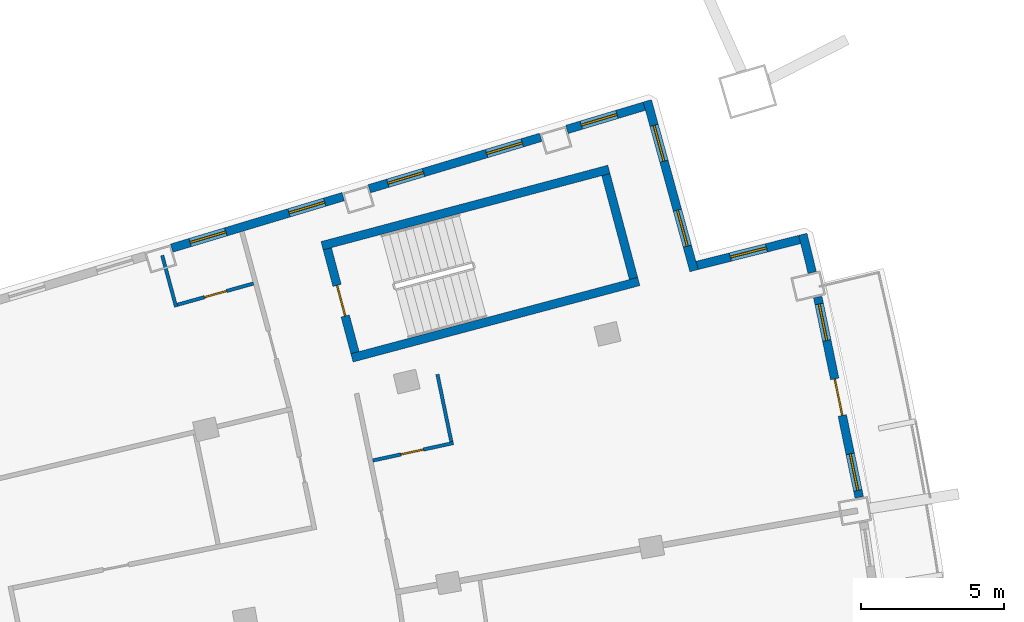
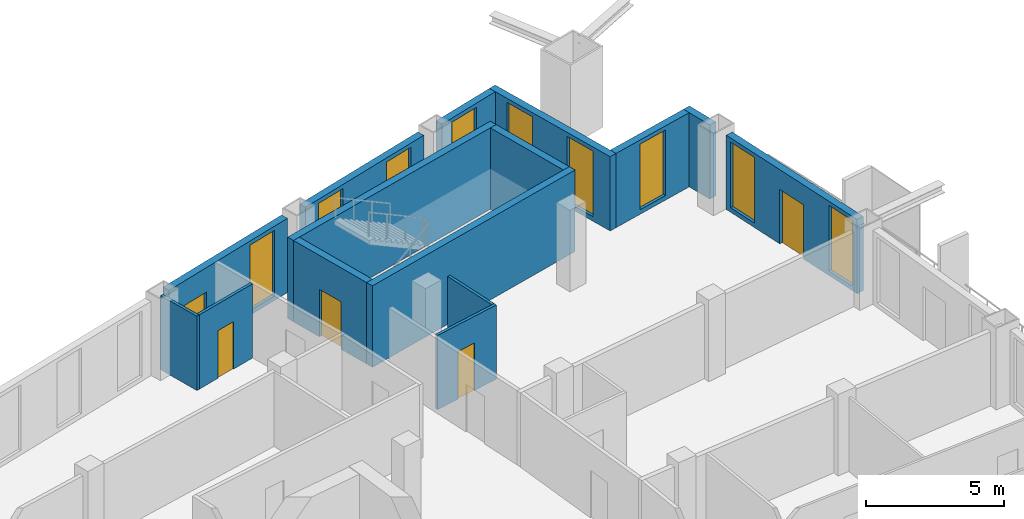
# One storey, part 15 of 19: 15 walls, 10 windows, 4 doors, 14 openings.
"""IFC4 building model written with IfcOpenShell, lengths in metres."""

from ifc_helpers import new_model, si_unit, direction, frame, frame_2d, origin, place, context, subcontext, project, spatial, rectangle, extrude, material, layer, layer_set, type_object, element, fill, save


model = new_model("IFC4")

# Units and contexts
model_context = context("Model", 3, precision=1e-05, world=origin(), true_north=direction((0.0, 1.0)))
body_context = subcontext(model_context, "Body", "Model", "MODEL_VIEW")
ifc_project = project(units=[si_unit("LENGTHUNIT", "METRE"), si_unit("AREAUNIT", "SQUARE_METRE"), si_unit("VOLUMEUNIT", "CUBIC_METRE"), si_unit("PLANEANGLEUNIT", "RADIAN"), si_unit("MASSUNIT", "GRAM", prefix="KILO")], contexts=[model_context])

# Site, building, storey
site_placement = place(None, origin())
site = spatial("IfcSite", under=ifc_project, at=site_placement, CompositionType="ELEMENT")
building_placement = place(site_placement, origin())
building = spatial("IfcBuilding", under=site, at=building_placement, Name="Alderwake Tower", CompositionType="ELEMENT")
storey_placement = place(building_placement, frame((0.0, 0.0, 228.800048828125)))
storey = spatial("IfcBuildingStorey", under=building, at=storey_placement, Name="L57", CompositionType="ELEMENT", Elevation=228.800048828125)

# Walls
ifc_material_1 = material(Name="Concrete C70/85", Category="concrete")
ifc_layer_1 = layer(ifc_material_1, 0.300048828125)
ifc_layer_set_1 = layer_set([ifc_layer_1], Name="Core wall stair enclosure 300 C70-85")
wall_type_1 = type_object("IfcWallType", Name="Core wall stair enclosure 300 C70-85", PredefinedType="SHEAR", material=ifc_layer_set_1)
for number, where, z_axis, x_axis, name in (
    (1, (36.71142578125, 94.182373046875, 0.0), (0.0, 0.0, 1.0), (0.966309214305, 0.257383958996, 0.0), "Core wall CW.082"),
    (2, (37.75390625, 90.268798828125, 0.0), (0.0, 0.0, 1.0), (0.966309214305, 0.257383958996, 0.0), "Core wall CW.084"),
):
    element("IfcWall", number, at=place(storey_placement, frame(where, z_axis=z_axis, x_axis=x_axis)), inside=storey, type_object=wall_type_1, Name=name, PredefinedType="SHEAR", context=body_context, shape_type="SweptSolid", body=[
        extrude(rectangle(XDim=10.360107421875, YDim=0.300048828125, at=frame_2d((5.18017578125, 0.0))), origin(), (0.0, 0.0, 1.0), 3.599853515625),
    ])

# Wall, opening, door
wall_1_placement = place(storey_placement, frame((37.8603515625, 90.452392578125, 0.0), z_axis=(0.0, 0.0, 1.0), x_axis=(-0.257411420208, 0.966301899381, 0.0)))
wall_1 = element("IfcWall", 3, at=wall_1_placement, inside=storey, type_object=wall_type_1, Name="Core wall CW.083", PredefinedType="SHEAR", context=body_context, shape_type="SweptSolid", body=[
    extrude(rectangle(XDim=3.750244140625, YDim=0.300048828125, at=frame_2d((1.875, 0.0))), origin(), (0.0, 0.0, 1.0), 3.599853515625),
])
opening_1_placement = place(wall_1_placement, frame((1.324951171875, 0.0, 0.0)))
opening_1 = element("IfcOpeningElement", 4, at=opening_1_placement, cuts=wall_1, Name="Opening C062", PredefinedType="OPENING", context=body_context, shape_type="SweptSolid", body=[
    extrude(rectangle(XDim=1.10009765625, YDim=2.10009765625, at=frame_2d((0.550048828125, 1.050048828125))), frame((0.0, 0.159912109375, 0.0), z_axis=(0.0, -1.0, 0.0), x_axis=(1.0, 0.0, 0.0)), (0.0, 0.0, 1.0), 0.320068359375),
])
ifc_material_2 = material(Name="Steel-framed fire door leaf", Category="steel")
door_type_1 = type_object("IfcDoorType", Name="Core stair door 1100 fire-rated", OperationType="SINGLE_SWING_LEFT", PredefinedType="DOOR", material=ifc_material_2)
door_1_placement = place(opening_1_placement, origin())
door_1 = element("IfcDoor", 5, at=door_1_placement, inside=storey, type_object=door_type_1, Name="Stair door", OperationType="SINGLE_SWING_LEFT", OverallHeight=2.10009765625, OverallWidth=1.10009765625, PredefinedType="DOOR", context=body_context, shape_type="SweptSolid", body=[
    extrude(rectangle(XDim=1.10009765625, YDim=2.10009765625, at=frame_2d((0.550048828125, 1.050048828125))), frame((0.0, 0.02490234375, 0.0), z_axis=(0.0, -1.0, 0.0), x_axis=(1.0, 0.0, 0.0)), (0.0, 0.0, 1.0), 0.050048828125),
])
fill(opening_1, door_1)

# Wall
wall_2_placement = place(storey_placement, frame((47.581298828125, 93.041748046875, 0.0), z_axis=(0.0, 0.0, 1.0), x_axis=(-0.257366821694, 0.966313778796, 0.0)))
element("IfcWall", 6, at=wall_2_placement, inside=storey, type_object=wall_type_1, Name="Core wall CW.081", PredefinedType="SHEAR", context=body_context, shape_type="SweptSolid", body=[
    extrude(rectangle(XDim=3.749755859375, YDim=0.300048828125, at=frame_2d((1.875, 0.0))), origin(), (0.0, 0.0, 1.0), 3.599853515625),
])

# Wall, openings, door, windows
ifc_material_3 = material(Name="Precast concrete C50/60 spandrel panel", Category="concrete")
ifc_layer_2 = layer(ifc_material_3, 0.300048828125)
ifc_layer_set_2 = layer_set([ifc_layer_2], Name="External wall EW1 Precast concrete C50/60 spandrel")
wall_type_2 = type_object("IfcWallType", Name="External wall EW1 Precast concrete C50/60 spandrel", PredefinedType="SOLIDWALL", material=ifc_layer_set_2)
wall_3_placement = place(storey_placement, frame((55.456787109375, 85.404052734375, 0.0), z_axis=(0.0, 0.0, 1.0), x_axis=(-0.202739139566, 0.979232781972, 0.0)))
wall_3 = element("IfcWall", 7, at=wall_3_placement, inside=storey, type_object=wall_type_2, Name="External wall 19", PredefinedType="SOLIDWALL", context=body_context, shape_type="SweptSolid", body=[
    extrude(rectangle(XDim=7.1337890625, YDim=0.300048828125, at=frame_2d((3.56689453125, 0.0))), origin(), (0.0, 0.0, 1.0), 3.280029296875),
])
opening_2_placement = place(wall_3_placement, frame((0.24560546875, 0.0, 0.199951171875)))
opening_2 = element("IfcOpeningElement", 8, at=opening_2_placement, cuts=wall_3, Name="Opening W1", PredefinedType="OPENING", context=body_context, shape_type="SweptSolid", body=[
    extrude(rectangle(XDim=1.300048828125, YDim=2.89990234375, at=frame_2d((0.64990234375, 1.449951171875))), frame((0.0, 0.159912109375, 0.0), z_axis=(0.0, -1.0, 0.0), x_axis=(1.0, 0.0, 0.0)), (0.0, 0.0, 1.0), 0.320068359375),
])
opening_3_placement = place(wall_3_placement, frame((2.916748046875, 0.0, 0.0)))
opening_3 = element("IfcOpeningElement", 9, at=opening_3_placement, cuts=wall_3, Name="Opening D08", PredefinedType="OPENING", context=body_context, shape_type="SweptSolid", body=[
    extrude(rectangle(XDim=1.300048828125, YDim=2.39990234375, at=frame_2d((0.64990234375, 1.199951171875))), frame((0.0, 0.159912109375, 0.0), z_axis=(0.0, -1.0, 0.0), x_axis=(1.0, 0.0, 0.0)), (0.0, 0.0, 1.0), 0.320068359375),
])
opening_4_placement = place(wall_3_placement, frame((5.588134765625, 0.0, 0.199951171875)))
opening_4 = element("IfcOpeningElement", 10, at=opening_4_placement, cuts=wall_3, Name="Opening W1", PredefinedType="OPENING", context=body_context, shape_type="SweptSolid", body=[
    extrude(rectangle(XDim=1.300048828125, YDim=2.89990234375, at=frame_2d((0.64990234375, 1.449951171875))), frame((0.0, 0.159912109375, 0.0), z_axis=(0.0, -1.0, 0.0), x_axis=(1.0, 0.0, 0.0)), (0.0, 0.0, 1.0), 0.320068359375),
])
ifc_material_4 = material(Name="Bronze tinted glass in aluminium frame", Category="aluminium")
door_type_2 = type_object("IfcDoorType", Name="Balcony door BD sliding", OperationType="SLIDING_TO_LEFT", PredefinedType="DOOR", material=ifc_material_4)
door_2_placement = place(opening_3_placement, origin())
door_2 = element("IfcDoor", 11, at=door_2_placement, inside=storey, type_object=door_type_2, Name="Door D08", OperationType="SLIDING_TO_LEFT", OverallHeight=2.39990234375, OverallWidth=1.300048828125, PredefinedType="DOOR", context=body_context, shape_type="SweptSolid", body=[
    extrude(rectangle(XDim=1.300048828125, YDim=2.39990234375, at=frame_2d((0.64990234375, 1.199951171875))), frame((0.0, 0.02490234375, 0.0), z_axis=(0.0, -1.0, 0.0), x_axis=(1.0, 0.0, 0.0)), (0.0, 0.0, 1.0), 0.050048828125),
])
fill(opening_3, door_2)
ifc_material_5 = material(Name="Bronze tinted glass in aluminium frame", Category="aluminium")
window_type_1 = type_object("IfcWindowType", Name="Window W1 tall fixed and vent", PartitioningType="DOUBLE_PANEL_VERTICAL", PredefinedType="WINDOW", material=ifc_material_5)
window_1_placement = place(opening_2_placement, origin())
window_1 = element("IfcWindow", 12, at=window_1_placement, inside=storey, type_object=window_type_1, Name="Window W1 tall fixed and vent", OverallHeight=2.89990234375, OverallWidth=1.300048828125, PartitioningType="DOUBLE_PANEL_VERTICAL", PredefinedType="WINDOW", context=body_context, shape_type="SweptSolid", body=[
    extrude(rectangle(XDim=1.300048828125, YDim=2.89990234375, at=frame_2d((0.64990234375, 1.449951171875))), frame((0.0, 0.030029296875, 0.0), z_axis=(0.0, -1.0, 0.0), x_axis=(1.0, 0.0, 0.0)), (0.0, 0.0, 1.0), 0.06005859375),
])
fill(opening_2, window_1)
window_2_placement = place(opening_4_placement, origin())
window_2 = element("IfcWindow", 13, at=window_2_placement, inside=storey, type_object=window_type_1, Name="Window W1 tall fixed and vent", OverallHeight=2.89990234375, OverallWidth=1.300048828125, PartitioningType="DOUBLE_PANEL_VERTICAL", PredefinedType="WINDOW", context=body_context, shape_type="SweptSolid", body=[
    extrude(rectangle(XDim=1.300048828125, YDim=2.89990234375, at=frame_2d((0.64990234375, 1.449951171875))), frame((0.0, 0.030029296875, 0.0), z_axis=(0.0, -1.0, 0.0), x_axis=(1.0, 0.0, 0.0)), (0.0, 0.0, 1.0), 0.06005859375),
])
fill(opening_4, window_2)

# Wall
wall_4_placement = place(storey_placement, frame((53.817138671875, 93.24609375, 0.0), z_axis=(0.0, 0.0, 1.0), x_axis=(-0.238360405039, 0.971176769342, 0.0)))
element("IfcWall", 14, at=wall_4_placement, inside=storey, type_object=wall_type_2, Name="External wall 20", PredefinedType="SOLIDWALL", context=body_context, shape_type="SweptSolid", body=[
    extrude(rectangle(XDim=1.376708984375, YDim=0.300048828125, at=frame_2d((0.6884765625, 0.0))), origin(), (0.0, 0.0, 1.0), 3.280029296875),
])

# Wall, opening, window
ifc_material_6 = material(Name="Bronze metal cladding on lightweight framing")
ifc_layer_3 = layer(ifc_material_6, 0.300048828125)
ifc_layer_set_3 = layer_set([ifc_layer_3], Name="External wall EW2 bronze metal cladding")
wall_type_3 = type_object("IfcWallType", Name="External wall EW2 bronze metal cladding", PredefinedType="SOLIDWALL", material=ifc_layer_set_3)
wall_5_placement = place(storey_placement, frame((53.37939453125, 94.400390625, 0.0), z_axis=(0.0, 0.0, 1.0), x_axis=(-0.969426922046, -0.245380200529, 0.0)))
wall_5 = element("IfcWall", 15, at=wall_5_placement, inside=storey, type_object=wall_type_3, Name="External wall 21", PredefinedType="SOLIDWALL", context=body_context, shape_type="SweptSolid", body=[
    extrude(rectangle(XDim=3.6943359375, YDim=0.300048828125, at=frame_2d((1.84716796875, 0.0))), origin(), (0.0, 0.0, 1.0), 3.280029296875),
])
opening_5_placement = place(wall_5_placement, frame((1.197021484375, 0.0, 0.199951171875)))
opening_5 = element("IfcOpeningElement", 16, at=opening_5_placement, cuts=wall_5, Name="Opening W1", PredefinedType="OPENING", context=body_context, shape_type="SweptSolid", body=[
    extrude(rectangle(XDim=1.300048828125, YDim=2.89990234375, at=frame_2d((0.64990234375, 1.449951171875))), frame((0.0, 0.159912109375, 0.0), z_axis=(0.0, -1.0, 0.0), x_axis=(1.0, 0.0, 0.0)), (0.0, 0.0, 1.0), 0.320068359375),
])
window_3_placement = place(opening_5_placement, origin())
window_3 = element("IfcWindow", 17, at=window_3_placement, inside=storey, type_object=window_type_1, Name="Window W1 tall fixed and vent", OverallHeight=2.89990234375, OverallWidth=1.300048828125, PartitioningType="DOUBLE_PANEL_VERTICAL", PredefinedType="WINDOW", context=body_context, shape_type="SweptSolid", body=[
    extrude(rectangle(XDim=1.300048828125, YDim=2.89990234375, at=frame_2d((0.64990234375, 1.449951171875))), frame((0.0, 0.030029296875, 0.0), z_axis=(0.0, -1.0, 0.0), x_axis=(1.0, 0.0, 0.0)), (0.0, 0.0, 1.0), 0.06005859375),
])
fill(opening_5, window_3)

# Wall, openings, windows
wall_6_placement = place(storey_placement, frame((49.6923828125, 93.3125, 0.0), z_axis=(0.0, 0.0, 1.0), x_axis=(-0.265086321633, 0.96422468444, 0.0)))
wall_6 = element("IfcWall", 18, at=wall_6_placement, inside=storey, type_object=wall_type_3, Name="External wall 22", PredefinedType="SOLIDWALL", context=body_context, shape_type="SweptSolid", body=[
    extrude(rectangle(XDim=6.146728515625, YDim=0.300048828125, at=frame_2d((3.0732421875, 0.0))), origin(), (0.0, 0.0, 1.0), 3.280029296875),
])
opening_6_placement = place(wall_6_placement, frame((0.88671875, 0.0, 0.199951171875)))
opening_6 = element("IfcOpeningElement", 19, at=opening_6_placement, cuts=wall_6, Name="Opening W1", PredefinedType="OPENING", context=body_context, shape_type="SweptSolid", body=[
    extrude(rectangle(XDim=1.300048828125, YDim=2.89990234375, at=frame_2d((0.64990234375, 1.449951171875))), frame((0.0, 0.159912109375, 0.0), z_axis=(0.0, -1.0, 0.0), x_axis=(1.0, 0.0, 0.0)), (0.0, 0.0, 1.0), 0.320068359375),
])
opening_7_placement = place(wall_6_placement, frame((3.9599609375, 0.0, 0.199951171875)))
opening_7 = element("IfcOpeningElement", 20, at=opening_7_placement, cuts=wall_6, Name="Opening W1", PredefinedType="OPENING", context=body_context, shape_type="SweptSolid", body=[
    extrude(rectangle(XDim=1.300048828125, YDim=2.89990234375, at=frame_2d((0.64990234375, 1.449951171875))), frame((0.0, 0.159912109375, 0.0), z_axis=(0.0, -1.0, 0.0), x_axis=(1.0, 0.0, 0.0)), (0.0, 0.0, 1.0), 0.320068359375),
])
window_4_placement = place(opening_6_placement, origin())
window_4 = element("IfcWindow", 21, at=window_4_placement, inside=storey, type_object=window_type_1, Name="Window W1 tall fixed and vent", OverallHeight=2.89990234375, OverallWidth=1.300048828125, PartitioningType="DOUBLE_PANEL_VERTICAL", PredefinedType="WINDOW", context=body_context, shape_type="SweptSolid", body=[
    extrude(rectangle(XDim=1.300048828125, YDim=2.89990234375, at=frame_2d((0.64990234375, 1.449951171875))), frame((0.0, 0.030029296875, 0.0), z_axis=(0.0, -1.0, 0.0), x_axis=(1.0, 0.0, 0.0)), (0.0, 0.0, 1.0), 0.06005859375),
])
fill(opening_6, window_4)
window_5_placement = place(opening_7_placement, origin())
window_5 = element("IfcWindow", 22, at=window_5_placement, inside=storey, type_object=window_type_1, Name="Window W1 tall fixed and vent", OverallHeight=2.89990234375, OverallWidth=1.300048828125, PartitioningType="DOUBLE_PANEL_VERTICAL", PredefinedType="WINDOW", context=body_context, shape_type="SweptSolid", body=[
    extrude(rectangle(XDim=1.300048828125, YDim=2.89990234375, at=frame_2d((0.64990234375, 1.449951171875))), frame((0.0, 0.030029296875, 0.0), z_axis=(0.0, -1.0, 0.0), x_axis=(1.0, 0.0, 0.0)), (0.0, 0.0, 1.0), 0.06005859375),
])
fill(opening_7, window_5)

# Wall, opening, window
wall_7_placement = place(storey_placement, frame((47.959228515625, 99.051513671875, 0.0), z_axis=(0.0, 0.0, 1.0), x_axis=(-0.957764339178, -0.287554291569, 0.0)))
wall_7 = element("IfcWall", 23, at=wall_7_placement, inside=storey, type_object=wall_type_3, Name="External wall 23", PredefinedType="SOLIDWALL", context=body_context, shape_type="SweptSolid", body=[
    extrude(rectangle(XDim=2.8212890625, YDim=0.300048828125, at=frame_2d((1.41064453125, 0.0))), origin(), (0.0, 0.0, 1.0), 3.280029296875),
])
opening_8_placement = place(wall_7_placement, frame((0.9990234375, 0.0, 0.199951171875)))
opening_8 = element("IfcOpeningElement", 24, at=opening_8_placement, cuts=wall_7, Name="Opening W1", PredefinedType="OPENING", context=body_context, shape_type="SweptSolid", body=[
    extrude(rectangle(XDim=1.300048828125, YDim=2.89990234375, at=frame_2d((0.64990234375, 1.449951171875))), frame((0.0, 0.159912109375, 0.0), z_axis=(0.0, -1.0, 0.0), x_axis=(1.0, 0.0, 0.0)), (0.0, 0.0, 1.0), 0.320068359375),
])
window_6_placement = place(opening_8_placement, origin())
window_6 = element("IfcWindow", 25, at=window_6_placement, inside=storey, type_object=window_type_1, Name="Window W1 tall fixed and vent", OverallHeight=2.89990234375, OverallWidth=1.300048828125, PartitioningType="DOUBLE_PANEL_VERTICAL", PredefinedType="WINDOW", context=body_context, shape_type="SweptSolid", body=[
    extrude(rectangle(XDim=1.300048828125, YDim=2.89990234375, at=frame_2d((0.64990234375, 1.449951171875))), frame((0.0, 0.030029296875, 0.0), z_axis=(0.0, -1.0, 0.0), x_axis=(1.0, 0.0, 0.0)), (0.0, 0.0, 1.0), 0.06005859375),
])
fill(opening_8, window_6)

# Wall, openings, windows
wall_8_placement = place(storey_placement, frame((44.34375, 97.966064453125, 0.0), z_axis=(0.0, 0.0, 1.0), x_axis=(-0.95776710022, -0.287545095136, 0.0)))
wall_8 = element("IfcWall", 26, at=wall_8_placement, inside=storey, type_object=wall_type_3, Name="External wall 24", PredefinedType="SOLIDWALL", context=body_context, shape_type="SweptSolid", body=[
    extrude(rectangle(XDim=6.24658203125, YDim=0.300048828125, at=frame_2d((3.123291015625, 0.0))), origin(), (0.0, 0.0, 1.0), 3.280029296875),
])
opening_9_placement = place(wall_8_placement, frame((0.67333984375, 0.0, 0.199951171875)))
opening_9 = element("IfcOpeningElement", 27, at=opening_9_placement, cuts=wall_8, Name="Opening W1", PredefinedType="OPENING", context=body_context, shape_type="SweptSolid", body=[
    extrude(rectangle(XDim=1.300048828125, YDim=2.89990234375, at=frame_2d((0.64990234375, 1.449951171875))), frame((0.0, 0.159912109375, 0.0), z_axis=(0.0, -1.0, 0.0), x_axis=(1.0, 0.0, 0.0)), (0.0, 0.0, 1.0), 0.320068359375),
])
opening_10_placement = place(wall_8_placement, frame((4.273193359375, 0.0, 0.199951171875)))
opening_10 = element("IfcOpeningElement", 28, at=opening_10_placement, cuts=wall_8, Name="Opening W1", PredefinedType="OPENING", context=body_context, shape_type="SweptSolid", body=[
    extrude(rectangle(XDim=1.300048828125, YDim=2.89990234375, at=frame_2d((0.64990234375, 1.449951171875))), frame((0.0, 0.159912109375, 0.0), z_axis=(0.0, -1.0, 0.0), x_axis=(1.0, 0.0, 0.0)), (0.0, 0.0, 1.0), 0.320068359375),
])
window_7_placement = place(opening_9_placement, origin())
window_7 = element("IfcWindow", 29, at=window_7_placement, inside=storey, type_object=window_type_1, Name="Window W1 tall fixed and vent", OverallHeight=2.89990234375, OverallWidth=1.300048828125, PartitioningType="DOUBLE_PANEL_VERTICAL", PredefinedType="WINDOW", context=body_context, shape_type="SweptSolid", body=[
    extrude(rectangle(XDim=1.300048828125, YDim=2.89990234375, at=frame_2d((0.64990234375, 1.449951171875))), frame((0.0, 0.030029296875, 0.0), z_axis=(0.0, -1.0, 0.0), x_axis=(1.0, 0.0, 0.0)), (0.0, 0.0, 1.0), 0.06005859375),
])
fill(opening_9, window_7)
window_8_placement = place(opening_10_placement, origin())
window_8 = element("IfcWindow", 30, at=window_8_placement, inside=storey, type_object=window_type_1, Name="Window W1 tall fixed and vent", OverallHeight=2.89990234375, OverallWidth=1.300048828125, PartitioningType="DOUBLE_PANEL_VERTICAL", PredefinedType="WINDOW", context=body_context, shape_type="SweptSolid", body=[
    extrude(rectangle(XDim=1.300048828125, YDim=2.89990234375, at=frame_2d((0.64990234375, 1.449951171875))), frame((0.0, 0.030029296875, 0.0), z_axis=(0.0, -1.0, 0.0), x_axis=(1.0, 0.0, 0.0)), (0.0, 0.0, 1.0), 0.06005859375),
])
fill(opening_10, window_8)

wall_9_placement = place(storey_placement, frame((37.44775390625, 95.895751953125, 0.0), z_axis=(0.0, 0.0, 1.0), x_axis=(-0.95776710022, -0.287545095136, 0.0)))
wall_9 = element("IfcWall", 31, at=wall_9_placement, inside=storey, type_object=wall_type_3, Name="External wall 25", PredefinedType="SOLIDWALL", context=body_context, shape_type="SweptSolid", body=[
    extrude(rectangle(XDim=6.24658203125, YDim=0.300048828125, at=frame_2d((3.123291015625, 0.0))), origin(), (0.0, 0.0, 1.0), 3.280029296875),
])
opening_11_placement = place(wall_9_placement, frame((0.673095703125, 0.0, 0.199951171875)))
opening_11 = element("IfcOpeningElement", 32, at=opening_11_placement, cuts=wall_9, Name="Opening W1", PredefinedType="OPENING", context=body_context, shape_type="SweptSolid", body=[
    extrude(rectangle(XDim=1.300048828125, YDim=2.89990234375, at=frame_2d((0.64990234375, 1.449951171875))), frame((0.0, 0.159912109375, 0.0), z_axis=(0.0, -1.0, 0.0), x_axis=(1.0, 0.0, 0.0)), (0.0, 0.0, 1.0), 0.320068359375),
])
opening_12_placement = place(wall_9_placement, frame((4.273193359375, 0.0, 1.0)))
opening_12 = element("IfcOpeningElement", 33, at=opening_12_placement, cuts=wall_9, Name="Opening W2", PredefinedType="OPENING", context=body_context, shape_type="SweptSolid", body=[
    extrude(rectangle(XDim=1.300048828125, YDim=1.199951171875, at=frame_2d((0.64990234375, 0.60009765625))), frame((0.0, 0.159912109375, 0.0), z_axis=(0.0, -1.0, 0.0), x_axis=(1.0, 0.0, 0.0)), (0.0, 0.0, 1.0), 0.320068359375),
])
window_9_placement = place(opening_11_placement, origin())
window_9 = element("IfcWindow", 34, at=window_9_placement, inside=storey, type_object=window_type_1, Name="Window W1 tall fixed and vent", OverallHeight=2.89990234375, OverallWidth=1.300048828125, PartitioningType="DOUBLE_PANEL_VERTICAL", PredefinedType="WINDOW", context=body_context, shape_type="SweptSolid", body=[
    extrude(rectangle(XDim=1.300048828125, YDim=2.89990234375, at=frame_2d((0.64990234375, 1.449951171875))), frame((0.0, 0.030029296875, 0.0), z_axis=(0.0, -1.0, 0.0), x_axis=(1.0, 0.0, 0.0)), (0.0, 0.0, 1.0), 0.06005859375),
])
fill(opening_11, window_9)
ifc_material_7 = material(Name="Bronze tinted glass in aluminium frame", Category="aluminium")
window_type_2 = type_object("IfcWindowType", Name="Window W2 kitchen and bath", PartitioningType="SINGLE_PANEL", PredefinedType="WINDOW", material=ifc_material_7)
window_10_placement = place(opening_12_placement, origin())
window_10 = element("IfcWindow", 35, at=window_10_placement, inside=storey, type_object=window_type_2, Name="Window W2 kitchen and bath", OverallHeight=1.199951171875, OverallWidth=1.300048828125, PartitioningType="SINGLE_PANEL", PredefinedType="WINDOW", context=body_context, shape_type="SweptSolid", body=[
    extrude(rectangle(XDim=1.300048828125, YDim=1.199951171875, at=frame_2d((0.64990234375, 0.60009765625))), frame((0.0, 0.030029296875, 0.0), z_axis=(0.0, -1.0, 0.0), x_axis=(1.0, 0.0, 0.0)), (0.0, 0.0, 1.0), 0.06005859375),
])
fill(opening_12, window_10)

# Wall
ifc_material_8 = material(Name="Moisture resistant gypsum board on metal studs")
ifc_layer_4 = layer(ifc_material_8, 0.1201171875)
ifc_layer_set_4 = layer_set([ifc_layer_4], Name="Wet room partition 120")
wall_type_4 = type_object("IfcWallType", Name="Wet room partition 120", PredefinedType="PARTITIONING", material=ifc_layer_set_4)
wall_10_placement = place(storey_placement, frame((31.134033203125, 93.843017578125, 0.0), z_axis=(0.0, 0.0, 1.0), x_axis=(0.260171283127, -0.965562480338, 0.0)))
element("IfcWall", 36, at=wall_10_placement, inside=storey, type_object=wall_type_4, Name="WL/L57/W31", PredefinedType="PARTITIONING", context=body_context, shape_type="SweptSolid", body=[
    extrude(rectangle(XDim=1.85888671875, YDim=0.1201171875, at=frame_2d((0.929443359375, 0.0))), origin(), (0.0, 0.0, 1.0), 3.280029296875),
])

# Wall, opening, door
wall_11_placement = place(storey_placement, frame((31.659912109375, 92.1220703125, 0.0), z_axis=(0.0, 0.0, 1.0), x_axis=(0.963132887742, 0.269026096411, 0.0)))
wall_11 = element("IfcWall", 37, at=wall_11_placement, inside=storey, type_object=wall_type_4, Name="WL/L57/W33", PredefinedType="PARTITIONING", context=body_context, shape_type="SweptSolid", body=[
    extrude(rectangle(XDim=2.759765625, YDim=0.1201171875, at=frame_2d((1.3798828125, 0.0))), origin(), (0.0, 0.0, 1.0), 3.280029296875),
])
opening_13_placement = place(wall_11_placement, frame((0.97998046875, 0.0, 0.0)))
opening_13 = element("IfcOpeningElement", 38, at=opening_13_placement, cuts=wall_11, Name="Opening R16-U10.2", PredefinedType="OPENING", context=body_context, shape_type="SweptSolid", body=[
    extrude(rectangle(XDim=0.800048828125, YDim=2.10009765625, at=frame_2d((0.39990234375, 1.050048828125))), frame((0.0, 0.070068359375, 0.0), z_axis=(0.0, -1.0, 0.0), x_axis=(1.0, 0.0, 0.0)), (0.0, 0.0, 1.0), 0.14013671875),
])
ifc_material_9 = material(Name="Painted timber leaf", Category="wood")
door_type_3 = type_object("IfcDoorType", Name="Bathroom door 800", OperationType="SINGLE_SWING_LEFT", PredefinedType="DOOR", material=ifc_material_9)
door_3_placement = place(opening_13_placement, origin())
door_3 = element("IfcDoor", 39, at=door_3_placement, inside=storey, type_object=door_type_3, Name="DR/L57/U10.2", OperationType="SINGLE_SWING_LEFT", OverallHeight=2.10009765625, OverallWidth=0.800048828125, PredefinedType="DOOR", context=body_context, shape_type="SweptSolid", body=[
    extrude(rectangle(XDim=0.800048828125, YDim=2.10009765625, at=frame_2d((0.39990234375, 1.050048828125))), frame((0.0, 0.02490234375, 0.0), z_axis=(0.0, -1.0, 0.0), x_axis=(1.0, 0.0, 0.0)), (0.0, 0.0, 1.0), 0.050048828125),
])
fill(opening_13, door_3)

wall_12_placement = place(storey_placement, frame((38.481201171875, 86.68701171875, 0.0), z_axis=(0.0, 0.0, 1.0), x_axis=(0.97723527817, 0.212158457526, 0.0)))
wall_12 = element("IfcWall", 40, at=wall_12_placement, inside=storey, type_object=wall_type_4, Name="WL/L57/W35", PredefinedType="PARTITIONING", context=body_context, shape_type="SweptSolid", body=[
    extrude(rectangle(XDim=2.8779296875, YDim=0.1201171875, at=frame_2d((1.43896484375, 0.0))), origin(), (0.0, 0.0, 1.0), 3.280029296875),
])
opening_14_placement = place(wall_12_placement, frame((1.009521484375, 0.0, 0.0)))
opening_14 = element("IfcOpeningElement", 41, at=opening_14_placement, cuts=wall_12, Name="Opening R16-U08.2", PredefinedType="OPENING", context=body_context, shape_type="SweptSolid", body=[
    extrude(rectangle(XDim=0.800048828125, YDim=2.10009765625, at=frame_2d((0.39990234375, 1.050048828125))), frame((0.0, 0.070068359375, 0.0), z_axis=(0.0, -1.0, 0.0), x_axis=(1.0, 0.0, 0.0)), (0.0, 0.0, 1.0), 0.14013671875),
])
door_4_placement = place(opening_14_placement, origin())
door_4 = element("IfcDoor", 42, at=door_4_placement, inside=storey, type_object=door_type_3, Name="DR/L57/U08.2", OperationType="SINGLE_SWING_LEFT", OverallHeight=2.10009765625, OverallWidth=0.800048828125, PredefinedType="DOOR", context=body_context, shape_type="SweptSolid", body=[
    extrude(rectangle(XDim=0.800048828125, YDim=2.10009765625, at=frame_2d((0.39990234375, 1.050048828125))), frame((0.0, 0.02490234375, 0.0), z_axis=(0.0, -1.0, 0.0), x_axis=(1.0, 0.0, 0.0)), (0.0, 0.0, 1.0), 0.050048828125),
])
fill(opening_14, door_4)

# Wall
wall_13_placement = place(storey_placement, frame((41.222900390625, 87.34375, 0.0), z_axis=(0.0, 0.0, 1.0), x_axis=(-0.202430686623, 0.979296593026, 0.0)))
element("IfcWall", 43, at=wall_13_placement, inside=storey, type_object=wall_type_4, Name="WL/L57/W37", PredefinedType="PARTITIONING", context=body_context, shape_type="SweptSolid", body=[
    extrude(rectangle(XDim=2.400146484375, YDim=0.1201171875, at=frame_2d((1.2001953125, 0.0))), origin(), (0.0, 0.0, 1.0), 3.280029296875),
])

save(model, "model.ifc")
